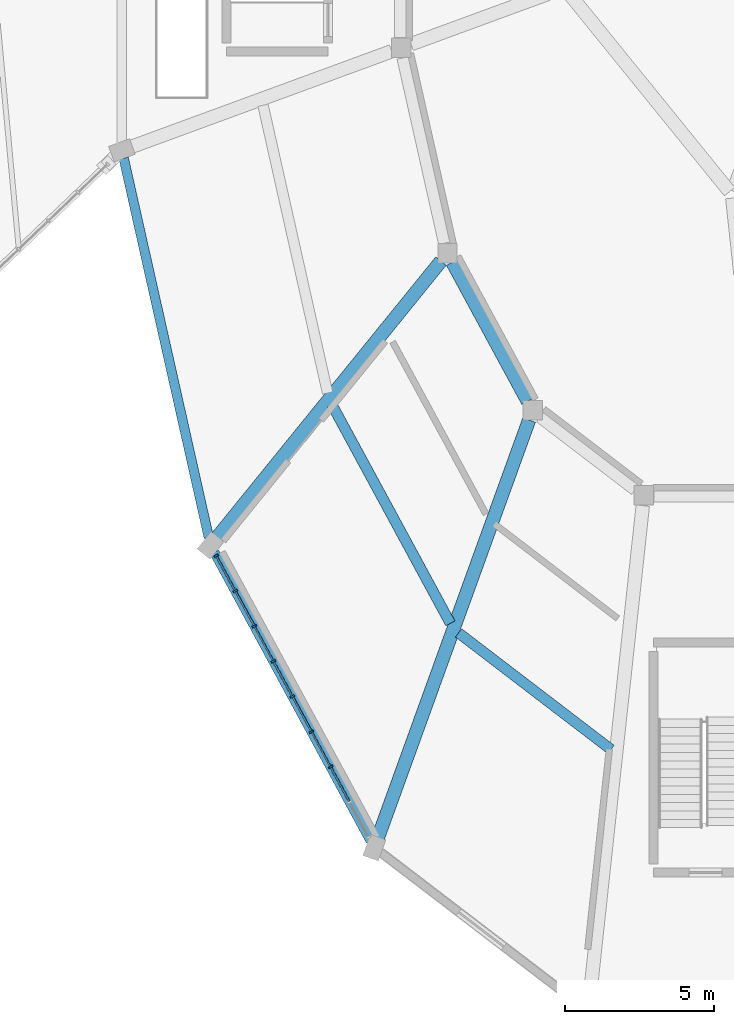
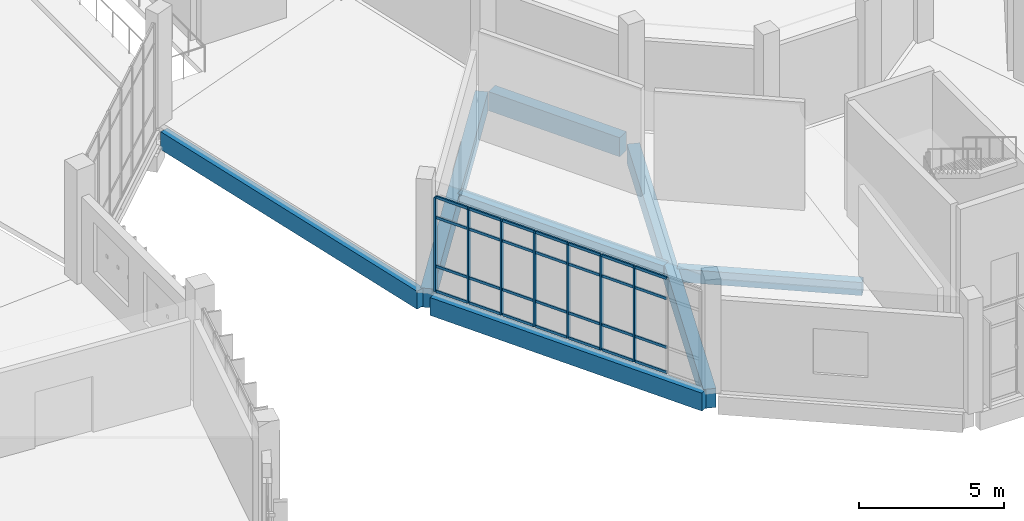
# One storey, part 47 of 179: 35 members, 7 beams, 1 element without a shape of its own.
"""IFC4 building model written with IfcOpenShell, lengths in metres."""

from ifc_helpers import new_model, si_unit, direction, frame, origin, origin_2d, place, context, subcontext, project, spatial, rectangle, extrude, material, layer, layer_set, material_profile, profile_set, type_object, element, aggregate, save


model = new_model("IFC4")

# Units and contexts
model_context = context("Model", 3, precision=1e-05, world=origin(), true_north=direction((0.0, 1.0)))
body_context = subcontext(model_context, "Body", "Model", "MODEL_VIEW")
ifc_project = project(units=[si_unit("LENGTHUNIT", "METRE"), si_unit("AREAUNIT", "SQUARE_METRE"), si_unit("VOLUMEUNIT", "CUBIC_METRE"), si_unit("PLANEANGLEUNIT", "RADIAN"), si_unit("MASSUNIT", "GRAM", prefix="KILO")], contexts=[model_context])

# Site, building, storey
site_placement = place(None, origin())
site = spatial("IfcSite", under=ifc_project, at=site_placement, CompositionType="ELEMENT")
building_placement = place(site_placement, origin())
building = spatial("IfcBuilding", under=site, at=building_placement, Name="Corvandel Quay Wholesale Market", CompositionType="ELEMENT")
storey_placement = place(building_placement, frame((0.0, 0.0, 6.0)))
storey = spatial("IfcBuildingStorey", under=building, at=storey_placement, Name="L01", CompositionType="ELEMENT", Elevation=6.0)

# Beams
ifc_material_1 = material(Name="Precast concrete C45/55", Category="concrete")
ifc_material_profile_1 = material_profile(ifc_material_1, rectangle(XDim=0.449951171875, YDim=0.800048828125, at=origin_2d()), Name="PC-GIR-450x800")
ifc_profile_set_1 = profile_set([ifc_material_profile_1], Name="Precast concrete C45/55")
beam_type_1 = type_object("IfcBeamType", Name="Auction Pavilion Girder G05 450x800", PredefinedType="USERDEFINED", material=ifc_profile_set_1)
beam_1_placement = place(storey_placement, frame((186.068359375, 49.092529296875, -0.639892578125), z_axis=(0.476241586834, -0.879314477858, 0.0), x_axis=(0.879314477858, 0.476241586834, 0.0)))
element("IfcBeam", 1, at=beam_1_placement, inside=storey, type_object=beam_type_1, Name="Beam BM-0863", ObjectType="GIRDER", PredefinedType="USERDEFINED", context=body_context, shape_type="SweptSolid", body=[
    extrude(rectangle(XDim=0.449951171875, YDim=0.800048828125, at=origin_2d()), origin(), (0.0, 0.0, 1.0), 5.298583984375),
])
beam_2_placement = place(storey_placement, frame((178.138916015625, 39.817626953125, -0.639892578125), z_axis=(0.629749475171, 0.776798299768, 0.0), x_axis=(-0.776798299768, 0.629749475171, 0.0)))
element("IfcBeam", 2, at=beam_2_placement, inside=storey, type_object=beam_type_1, Name="Beam BM-0864", ObjectType="GIRDER", PredefinedType="USERDEFINED", context=body_context, shape_type="SweptSolid", body=[
    extrude(rectangle(XDim=0.449951171875, YDim=0.800048828125, at=origin_2d()), origin(), (0.0, 0.0, 1.0), 11.985595703125),
])
beam_3_placement = place(storey_placement, frame((183.5458984375, 29.73486328125, -0.639892578125), z_axis=(0.34033314867, 0.94030492284, 0.0), x_axis=(-0.94030492284, 0.34033314867, 0.0)))
element("IfcBeam", 3, at=beam_3_placement, inside=storey, type_object=beam_type_1, Name="Beam BM-0875", ObjectType="GIRDER", PredefinedType="USERDEFINED", context=body_context, shape_type="SweptSolid", body=[
    extrude(rectangle(XDim=0.449951171875, YDim=0.800048828125, at=origin_2d()), origin(), (0.0, 0.0, 1.0), 14.964111328125),
])

# Curtain wall, members
ifc_material_2 = material(Name="Bronze anodised aluminium and low-E insulated glazing", Category="aluminium")
ifc_layer = layer(ifc_material_2, 0.197998046875)
ifc_layer_set = layer_set([ifc_layer], Name="Bronze anodised aluminium and low-E insulated glazing")
curtain_wall_type = type_object("IfcCurtainWallType", Name="Stick Curtain Wall System CW19 H4710", PredefinedType="NOTDEFINED", material=ifc_layer_set)
curtain_wall_placement = place(storey_placement, origin())
curtain_wall = element("IfcCurtainWall", 4, at=curtain_wall_placement, inside=storey, type_object=curtain_wall_type, Name="Curtain Wall CW-0137", PredefinedType="NOTDEFINED")
ifc_material_3 = material(Name="Anodised aluminium 6063-T6", Category="aluminium")
ifc_material_profile_2 = material_profile(ifc_material_3, rectangle(XDim=0.06494140625, YDim=0.14990234375, at=origin_2d()), Name="ALU-MUL-65x150")
ifc_profile_set_2 = profile_set([ifc_material_profile_2], Name="Anodised aluminium 6063-T6")
member_type_1 = type_object("IfcMemberType", Name="Curtain Wall Mullion ML02 65x150", PredefinedType="MULLION", material=ifc_profile_set_2)
member_1_placement = place(storey_placement, frame((178.159423828125, 39.25634765625, 0.0), z_axis=(0.0, 0.0, 1.0), x_axis=(-0.476238203668, 0.879316310191, 0.0)))
member_1 = element("IfcMember", 5, at=member_1_placement, type_object=member_type_1, Name="Mullion CW-0137-M00", PredefinedType="MULLION", context=body_context, shape_type="SweptSolid", body=[
    extrude(rectangle(XDim=0.06494140625, YDim=0.14990234375, at=origin_2d()), origin(), (0.0, 0.0, 1.0), 3.949951171875),
])
member_2_placement = place(storey_placement, frame((178.797607421875, 38.078369140625, 0.0), z_axis=(0.0, 0.0, 1.0), x_axis=(-0.476238203668, 0.879316310191, 0.0)))
member_2 = element("IfcMember", 6, at=member_2_placement, type_object=member_type_1, Name="Mullion CW-0137-M01", PredefinedType="MULLION", context=body_context, shape_type="SweptSolid", body=[
    extrude(rectangle(XDim=0.06494140625, YDim=0.14990234375, at=origin_2d()), origin(), (0.0, 0.0, 1.0), 3.949951171875),
])
member_3_placement = place(storey_placement, frame((179.435546875, 36.900390625, 0.0), z_axis=(0.0, 0.0, 1.0), x_axis=(-0.476238203668, 0.879316310191, 0.0)))
member_3 = element("IfcMember", 7, at=member_3_placement, type_object=member_type_1, Name="Mullion CW-0137-M02", PredefinedType="MULLION", context=body_context, shape_type="SweptSolid", body=[
    extrude(rectangle(XDim=0.06494140625, YDim=0.14990234375, at=origin_2d()), origin(), (0.0, 0.0, 1.0), 3.949951171875),
])
member_4_placement = place(storey_placement, frame((180.073486328125, 35.722412109375, 0.0), z_axis=(0.0, 0.0, 1.0), x_axis=(-0.476238203668, 0.879316310191, 0.0)))
member_4 = element("IfcMember", 8, at=member_4_placement, type_object=member_type_1, Name="Mullion CW-0137-M03", PredefinedType="MULLION", context=body_context, shape_type="SweptSolid", body=[
    extrude(rectangle(XDim=0.06494140625, YDim=0.14990234375, at=origin_2d()), origin(), (0.0, 0.0, 1.0), 3.949951171875),
])
member_5_placement = place(storey_placement, frame((180.71142578125, 34.54443359375, 0.0), z_axis=(0.0, 0.0, 1.0), x_axis=(-0.476238203668, 0.879316310191, 0.0)))
member_5 = element("IfcMember", 9, at=member_5_placement, type_object=member_type_1, Name="Mullion CW-0137-M04", PredefinedType="MULLION", context=body_context, shape_type="SweptSolid", body=[
    extrude(rectangle(XDim=0.06494140625, YDim=0.14990234375, at=origin_2d()), origin(), (0.0, 0.0, 1.0), 3.949951171875),
])
member_6_placement = place(storey_placement, frame((181.349609375, 33.36669921875, 0.0), z_axis=(0.0, 0.0, 1.0), x_axis=(-0.476238203668, 0.879316310191, 0.0)))
member_6 = element("IfcMember", 10, at=member_6_placement, type_object=member_type_1, Name="Mullion CW-0137-M05", PredefinedType="MULLION", context=body_context, shape_type="SweptSolid", body=[
    extrude(rectangle(XDim=0.06494140625, YDim=0.14990234375, at=origin_2d()), origin(), (0.0, 0.0, 1.0), 3.949951171875),
])
member_7_placement = place(storey_placement, frame((181.987548828125, 32.188720703125, 0.0), z_axis=(0.0, 0.0, 1.0), x_axis=(-0.476238203668, 0.879316310191, 0.0)))
member_7 = element("IfcMember", 11, at=member_7_placement, type_object=member_type_1, Name="Mullion CW-0137-M06", PredefinedType="MULLION", context=body_context, shape_type="SweptSolid", body=[
    extrude(rectangle(XDim=0.06494140625, YDim=0.14990234375, at=origin_2d()), origin(), (0.0, 0.0, 1.0), 3.949951171875),
])
ifc_material_profile_3 = material_profile(ifc_material_3, rectangle(XDim=0.06005859375, YDim=0.110107421875, at=origin_2d()), Name="ALU-TRN-60x110")
ifc_profile_set_3 = profile_set([ifc_material_profile_3], Name="Anodised aluminium 6063-T6")
member_type_2 = type_object("IfcMemberType", Name="Curtain Wall Transom TR02 60x110", PredefinedType="USERDEFINED", material=ifc_profile_set_3)
member_8_placement = place(storey_placement, frame((178.175048828125, 39.227783203125, 0.0), z_axis=(0.476165907025, -0.879355462249, 0.0), x_axis=(0.879355462249, 0.476165907025, 0.0)))
member_8 = element("IfcMember", 12, at=member_8_placement, type_object=member_type_2, Name="Transom CW-0137-T00-0", ObjectType="TRANSOM", PredefinedType="USERDEFINED", context=body_context, shape_type="SweptSolid", body=[
    extrude(rectangle(XDim=0.06005859375, YDim=0.110107421875, at=origin_2d()), origin(), (0.0, 0.0, 1.0), 1.274658203125),
])
member_9_placement = place(storey_placement, frame((178.175048828125, 39.227783203125, 1.050048828125), z_axis=(0.476165907025, -0.879355462249, 0.0), x_axis=(0.879355462249, 0.476165907025, 0.0)))
member_9 = element("IfcMember", 13, at=member_9_placement, type_object=member_type_2, Name="Transom CW-0137-T00-1", ObjectType="TRANSOM", PredefinedType="USERDEFINED", context=body_context, shape_type="SweptSolid", body=[
    extrude(rectangle(XDim=0.06005859375, YDim=0.110107421875, at=origin_2d()), origin(), (0.0, 0.0, 1.0), 1.274658203125),
])
member_10_placement = place(storey_placement, frame((178.175048828125, 39.227783203125, 3.10009765625), z_axis=(0.476165907025, -0.879355462249, 0.0), x_axis=(0.879355462249, 0.476165907025, 0.0)))
member_10 = element("IfcMember", 14, at=member_10_placement, type_object=member_type_2, Name="Transom CW-0137-T00-2", ObjectType="TRANSOM", PredefinedType="USERDEFINED", context=body_context, shape_type="SweptSolid", body=[
    extrude(rectangle(XDim=0.06005859375, YDim=0.110107421875, at=origin_2d()), origin(), (0.0, 0.0, 1.0), 1.274658203125),
])
member_11_placement = place(storey_placement, frame((178.175048828125, 39.227783203125, 3.949951171875), z_axis=(0.476165907025, -0.879355462249, 0.0), x_axis=(0.879355462249, 0.476165907025, 0.0)))
member_11 = element("IfcMember", 15, at=member_11_placement, type_object=member_type_2, Name="Transom CW-0137-T00-3", ObjectType="TRANSOM", PredefinedType="USERDEFINED", context=body_context, shape_type="SweptSolid", body=[
    extrude(rectangle(XDim=0.06005859375, YDim=0.110107421875, at=origin_2d()), origin(), (0.0, 0.0, 1.0), 1.274658203125),
])
member_12_placement = place(storey_placement, frame((178.81298828125, 38.0498046875, 0.0), z_axis=(0.476165907025, -0.879355462249, 0.0), x_axis=(0.879355462249, 0.476165907025, 0.0)))
member_12 = element("IfcMember", 16, at=member_12_placement, type_object=member_type_2, Name="Transom CW-0137-T01-0", ObjectType="TRANSOM", PredefinedType="USERDEFINED", context=body_context, shape_type="SweptSolid", body=[
    extrude(rectangle(XDim=0.06005859375, YDim=0.110107421875, at=origin_2d()), origin(), (0.0, 0.0, 1.0), 1.274658203125),
])
member_13_placement = place(storey_placement, frame((178.81298828125, 38.0498046875, 1.050048828125), z_axis=(0.476165907025, -0.879355462249, 0.0), x_axis=(0.879355462249, 0.476165907025, 0.0)))
member_13 = element("IfcMember", 17, at=member_13_placement, type_object=member_type_2, Name="Transom CW-0137-T01-1", ObjectType="TRANSOM", PredefinedType="USERDEFINED", context=body_context, shape_type="SweptSolid", body=[
    extrude(rectangle(XDim=0.06005859375, YDim=0.110107421875, at=origin_2d()), origin(), (0.0, 0.0, 1.0), 1.274658203125),
])
member_14_placement = place(storey_placement, frame((178.81298828125, 38.0498046875, 3.10009765625), z_axis=(0.476165907025, -0.879355462249, 0.0), x_axis=(0.879355462249, 0.476165907025, 0.0)))
member_14 = element("IfcMember", 18, at=member_14_placement, type_object=member_type_2, Name="Transom CW-0137-T01-2", ObjectType="TRANSOM", PredefinedType="USERDEFINED", context=body_context, shape_type="SweptSolid", body=[
    extrude(rectangle(XDim=0.06005859375, YDim=0.110107421875, at=origin_2d()), origin(), (0.0, 0.0, 1.0), 1.274658203125),
])
member_15_placement = place(storey_placement, frame((178.81298828125, 38.0498046875, 3.949951171875), z_axis=(0.476165907025, -0.879355462249, 0.0), x_axis=(0.879355462249, 0.476165907025, 0.0)))
member_15 = element("IfcMember", 19, at=member_15_placement, type_object=member_type_2, Name="Transom CW-0137-T01-3", ObjectType="TRANSOM", PredefinedType="USERDEFINED", context=body_context, shape_type="SweptSolid", body=[
    extrude(rectangle(XDim=0.06005859375, YDim=0.110107421875, at=origin_2d()), origin(), (0.0, 0.0, 1.0), 1.274658203125),
])
member_16_placement = place(storey_placement, frame((179.450927734375, 36.871826171875, 0.0), z_axis=(0.47631399735, -0.879275256065, 0.0), x_axis=(0.879275256065, 0.47631399735, 0.0)))
member_16 = element("IfcMember", 20, at=member_16_placement, type_object=member_type_2, Name="Transom CW-0137-T02-0", ObjectType="TRANSOM", PredefinedType="USERDEFINED", context=body_context, shape_type="SweptSolid", body=[
    extrude(rectangle(XDim=0.06005859375, YDim=0.110107421875, at=origin_2d()), origin(), (0.0, 0.0, 1.0), 1.274658203125),
])
member_17_placement = place(storey_placement, frame((179.450927734375, 36.871826171875, 1.050048828125), z_axis=(0.47631399735, -0.879275256065, 0.0), x_axis=(0.879275256065, 0.47631399735, 0.0)))
member_17 = element("IfcMember", 21, at=member_17_placement, type_object=member_type_2, Name="Transom CW-0137-T02-1", ObjectType="TRANSOM", PredefinedType="USERDEFINED", context=body_context, shape_type="SweptSolid", body=[
    extrude(rectangle(XDim=0.06005859375, YDim=0.110107421875, at=origin_2d()), origin(), (0.0, 0.0, 1.0), 1.274658203125),
])
member_18_placement = place(storey_placement, frame((179.450927734375, 36.871826171875, 3.10009765625), z_axis=(0.47631399735, -0.879275256065, 0.0), x_axis=(0.879275256065, 0.47631399735, 0.0)))
member_18 = element("IfcMember", 22, at=member_18_placement, type_object=member_type_2, Name="Transom CW-0137-T02-2", ObjectType="TRANSOM", PredefinedType="USERDEFINED", context=body_context, shape_type="SweptSolid", body=[
    extrude(rectangle(XDim=0.06005859375, YDim=0.110107421875, at=origin_2d()), origin(), (0.0, 0.0, 1.0), 1.274658203125),
])
member_19_placement = place(storey_placement, frame((179.450927734375, 36.871826171875, 3.949951171875), z_axis=(0.47631399735, -0.879275256065, 0.0), x_axis=(0.879275256065, 0.47631399735, 0.0)))
member_19 = element("IfcMember", 23, at=member_19_placement, type_object=member_type_2, Name="Transom CW-0137-T02-3", ObjectType="TRANSOM", PredefinedType="USERDEFINED", context=body_context, shape_type="SweptSolid", body=[
    extrude(rectangle(XDim=0.06005859375, YDim=0.110107421875, at=origin_2d()), origin(), (0.0, 0.0, 1.0), 1.274658203125),
])
member_20_placement = place(storey_placement, frame((180.089111328125, 35.69384765625, 0.0), z_axis=(0.476165907025, -0.879355462249, 0.0), x_axis=(0.879355462249, 0.476165907025, 0.0)))
member_20 = element("IfcMember", 24, at=member_20_placement, type_object=member_type_2, Name="Transom CW-0137-T03-0", ObjectType="TRANSOM", PredefinedType="USERDEFINED", context=body_context, shape_type="SweptSolid", body=[
    extrude(rectangle(XDim=0.06005859375, YDim=0.110107421875, at=origin_2d()), origin(), (0.0, 0.0, 1.0), 1.274658203125),
])
member_21_placement = place(storey_placement, frame((180.089111328125, 35.69384765625, 1.050048828125), z_axis=(0.476165907025, -0.879355462249, 0.0), x_axis=(0.879355462249, 0.476165907025, 0.0)))
member_21 = element("IfcMember", 25, at=member_21_placement, type_object=member_type_2, Name="Transom CW-0137-T03-1", ObjectType="TRANSOM", PredefinedType="USERDEFINED", context=body_context, shape_type="SweptSolid", body=[
    extrude(rectangle(XDim=0.06005859375, YDim=0.110107421875, at=origin_2d()), origin(), (0.0, 0.0, 1.0), 1.274658203125),
])
member_22_placement = place(storey_placement, frame((180.089111328125, 35.69384765625, 3.10009765625), z_axis=(0.476165907025, -0.879355462249, 0.0), x_axis=(0.879355462249, 0.476165907025, 0.0)))
member_22 = element("IfcMember", 26, at=member_22_placement, type_object=member_type_2, Name="Transom CW-0137-T03-2", ObjectType="TRANSOM", PredefinedType="USERDEFINED", context=body_context, shape_type="SweptSolid", body=[
    extrude(rectangle(XDim=0.06005859375, YDim=0.110107421875, at=origin_2d()), origin(), (0.0, 0.0, 1.0), 1.274658203125),
])
member_23_placement = place(storey_placement, frame((180.089111328125, 35.69384765625, 3.949951171875), z_axis=(0.476165907025, -0.879355462249, 0.0), x_axis=(0.879355462249, 0.476165907025, 0.0)))
member_23 = element("IfcMember", 27, at=member_23_placement, type_object=member_type_2, Name="Transom CW-0137-T03-3", ObjectType="TRANSOM", PredefinedType="USERDEFINED", context=body_context, shape_type="SweptSolid", body=[
    extrude(rectangle(XDim=0.06005859375, YDim=0.110107421875, at=origin_2d()), origin(), (0.0, 0.0, 1.0), 1.274658203125),
])
member_24_placement = place(storey_placement, frame((180.72705078125, 34.515869140625, 0.0), z_axis=(0.476165907025, -0.879355462249, 0.0), x_axis=(0.879355462249, 0.476165907025, 0.0)))
member_24 = element("IfcMember", 28, at=member_24_placement, type_object=member_type_2, Name="Transom CW-0137-T04-0", ObjectType="TRANSOM", PredefinedType="USERDEFINED", context=body_context, shape_type="SweptSolid", body=[
    extrude(rectangle(XDim=0.06005859375, YDim=0.110107421875, at=origin_2d()), origin(), (0.0, 0.0, 1.0), 1.274658203125),
])
member_25_placement = place(storey_placement, frame((180.72705078125, 34.515869140625, 1.050048828125), z_axis=(0.476165907025, -0.879355462249, 0.0), x_axis=(0.879355462249, 0.476165907025, 0.0)))
member_25 = element("IfcMember", 29, at=member_25_placement, type_object=member_type_2, Name="Transom CW-0137-T04-1", ObjectType="TRANSOM", PredefinedType="USERDEFINED", context=body_context, shape_type="SweptSolid", body=[
    extrude(rectangle(XDim=0.06005859375, YDim=0.110107421875, at=origin_2d()), origin(), (0.0, 0.0, 1.0), 1.274658203125),
])
member_26_placement = place(storey_placement, frame((180.72705078125, 34.515869140625, 3.10009765625), z_axis=(0.476165907025, -0.879355462249, 0.0), x_axis=(0.879355462249, 0.476165907025, 0.0)))
member_26 = element("IfcMember", 30, at=member_26_placement, type_object=member_type_2, Name="Transom CW-0137-T04-2", ObjectType="TRANSOM", PredefinedType="USERDEFINED", context=body_context, shape_type="SweptSolid", body=[
    extrude(rectangle(XDim=0.06005859375, YDim=0.110107421875, at=origin_2d()), origin(), (0.0, 0.0, 1.0), 1.274658203125),
])
member_27_placement = place(storey_placement, frame((180.72705078125, 34.515869140625, 3.949951171875), z_axis=(0.476165907025, -0.879355462249, 0.0), x_axis=(0.879355462249, 0.476165907025, 0.0)))
member_27 = element("IfcMember", 31, at=member_27_placement, type_object=member_type_2, Name="Transom CW-0137-T04-3", ObjectType="TRANSOM", PredefinedType="USERDEFINED", context=body_context, shape_type="SweptSolid", body=[
    extrude(rectangle(XDim=0.06005859375, YDim=0.110107421875, at=origin_2d()), origin(), (0.0, 0.0, 1.0), 1.274658203125),
])
member_28_placement = place(storey_placement, frame((181.364990234375, 33.337890625, 0.0), z_axis=(0.476246119582, -0.879312022881, 0.0), x_axis=(0.879312022881, 0.476246119582, 0.0)))
member_28 = element("IfcMember", 32, at=member_28_placement, type_object=member_type_2, Name="Transom CW-0137-T05-0", ObjectType="TRANSOM", PredefinedType="USERDEFINED", context=body_context, shape_type="SweptSolid", body=[
    extrude(rectangle(XDim=0.06005859375, YDim=0.110107421875, at=origin_2d()), origin(), (0.0, 0.0, 1.0), 1.2744140625),
])
member_29_placement = place(storey_placement, frame((181.364990234375, 33.337890625, 1.050048828125), z_axis=(0.476246119582, -0.879312022881, 0.0), x_axis=(0.879312022881, 0.476246119582, 0.0)))
member_29 = element("IfcMember", 33, at=member_29_placement, type_object=member_type_2, Name="Transom CW-0137-T05-1", ObjectType="TRANSOM", PredefinedType="USERDEFINED", context=body_context, shape_type="SweptSolid", body=[
    extrude(rectangle(XDim=0.06005859375, YDim=0.110107421875, at=origin_2d()), origin(), (0.0, 0.0, 1.0), 1.2744140625),
])
member_30_placement = place(storey_placement, frame((181.364990234375, 33.337890625, 3.10009765625), z_axis=(0.476246119582, -0.879312022881, 0.0), x_axis=(0.879312022881, 0.476246119582, 0.0)))
member_30 = element("IfcMember", 34, at=member_30_placement, type_object=member_type_2, Name="Transom CW-0137-T05-2", ObjectType="TRANSOM", PredefinedType="USERDEFINED", context=body_context, shape_type="SweptSolid", body=[
    extrude(rectangle(XDim=0.06005859375, YDim=0.110107421875, at=origin_2d()), origin(), (0.0, 0.0, 1.0), 1.2744140625),
])
member_31_placement = place(storey_placement, frame((181.364990234375, 33.337890625, 3.949951171875), z_axis=(0.476246119582, -0.879312022881, 0.0), x_axis=(0.879312022881, 0.476246119582, 0.0)))
member_31 = element("IfcMember", 35, at=member_31_placement, type_object=member_type_2, Name="Transom CW-0137-T05-3", ObjectType="TRANSOM", PredefinedType="USERDEFINED", context=body_context, shape_type="SweptSolid", body=[
    extrude(rectangle(XDim=0.06005859375, YDim=0.110107421875, at=origin_2d()), origin(), (0.0, 0.0, 1.0), 1.2744140625),
])
member_32_placement = place(storey_placement, frame((182.0029296875, 32.159912109375, 0.0), z_axis=(0.476394220214, -0.87923179364, 0.0), x_axis=(0.87923179364, 0.476394220214, 0.0)))
member_32 = element("IfcMember", 36, at=member_32_placement, type_object=member_type_2, Name="Transom CW-0137-T06-0", ObjectType="TRANSOM", PredefinedType="USERDEFINED", context=body_context, shape_type="SweptSolid", body=[
    extrude(rectangle(XDim=0.06005859375, YDim=0.110107421875, at=origin_2d()), origin(), (0.0, 0.0, 1.0), 1.2744140625),
])
member_33_placement = place(storey_placement, frame((182.0029296875, 32.159912109375, 1.050048828125), z_axis=(0.476394220214, -0.87923179364, 0.0), x_axis=(0.87923179364, 0.476394220214, 0.0)))
member_33 = element("IfcMember", 37, at=member_33_placement, type_object=member_type_2, Name="Transom CW-0137-T06-1", ObjectType="TRANSOM", PredefinedType="USERDEFINED", context=body_context, shape_type="SweptSolid", body=[
    extrude(rectangle(XDim=0.06005859375, YDim=0.110107421875, at=origin_2d()), origin(), (0.0, 0.0, 1.0), 1.2744140625),
])
member_34_placement = place(storey_placement, frame((182.0029296875, 32.159912109375, 3.10009765625), z_axis=(0.476394220214, -0.87923179364, 0.0), x_axis=(0.87923179364, 0.476394220214, 0.0)))
member_34 = element("IfcMember", 38, at=member_34_placement, type_object=member_type_2, Name="Transom CW-0137-T06-2", ObjectType="TRANSOM", PredefinedType="USERDEFINED", context=body_context, shape_type="SweptSolid", body=[
    extrude(rectangle(XDim=0.06005859375, YDim=0.110107421875, at=origin_2d()), origin(), (0.0, 0.0, 1.0), 1.2744140625),
])
member_35_placement = place(storey_placement, frame((182.0029296875, 32.159912109375, 3.949951171875), z_axis=(0.476394220214, -0.87923179364, 0.0), x_axis=(0.87923179364, 0.476394220214, 0.0)))
member_35 = element("IfcMember", 39, at=member_35_placement, type_object=member_type_2, Name="Transom CW-0137-T06-3", ObjectType="TRANSOM", PredefinedType="USERDEFINED", context=body_context, shape_type="SweptSolid", body=[
    extrude(rectangle(XDim=0.06005859375, YDim=0.110107421875, at=origin_2d()), origin(), (0.0, 0.0, 1.0), 1.2744140625),
])
aggregate(curtain_wall, [member_1, member_2, member_3, member_4, member_5, member_6, member_7, member_8, member_9, member_10, member_11, member_12, member_13, member_14, member_15, member_16, member_17, member_18, member_19, member_20, member_21, member_22, member_23, member_24, member_25, member_26, member_27, member_28, member_29, member_30, member_31, member_32, member_33, member_34, member_35])

# Beams
ifc_material_profile_4 = material_profile(ifc_material_1, rectangle(XDim=0.320068359375, YDim=0.75, at=origin_2d()), Name="PC-SPN-320x750")
ifc_profile_set_4 = profile_set([ifc_material_profile_4], Name="Precast concrete C45/55")
beam_type_2 = type_object("IfcBeamType", Name="Pavilion Precast Spandrel SP02 320x750", PredefinedType="SPANDREL", material=ifc_profile_set_4)
beam_4_placement = place(storey_placement, frame((175.05908203125, 52.57568359375, -0.614990234375), z_axis=(0.218953092988, -0.975735385784, 0.0), x_axis=(0.975735385784, 0.218953092988, 0.0)))
element("IfcBeam", 40, at=beam_4_placement, inside=storey, type_object=beam_type_2, Name="Beam BM-0851", PredefinedType="SPANDREL", context=body_context, shape_type="SweptSolid", body=[
    extrude(rectangle(XDim=0.320068359375, YDim=0.75, at=origin_2d()), origin(), (0.0, 0.0, 1.0), 13.020263671875),
])
beam_5_placement = place(storey_placement, frame((178.09765625, 39.37060546875, -0.614990234375), z_axis=(0.476252338863, -0.879308654414, 0.0), x_axis=(0.879308654414, 0.476252338863, 0.0)))
element("IfcBeam", 41, at=beam_5_placement, inside=storey, type_object=beam_type_2, Name="Beam BM-0862", PredefinedType="SPANDREL", context=body_context, shape_type="SweptSolid", body=[
    extrude(rectangle(XDim=0.320068359375, YDim=0.75, at=origin_2d()), origin(), (0.0, 0.0, 1.0), 10.976806640625),
])
ifc_material_profile_5 = material_profile(ifc_material_1, rectangle(XDim=0.35009765625, YDim=0.550048828125, at=origin_2d()), Name="PC-BM-350x550")
ifc_profile_set_5 = profile_set([ifc_material_profile_5], Name="Precast concrete C45/55")
beam_type_3 = type_object("IfcBeamType", Name="Standard Floor Secondary Beam B03 350x550", PredefinedType="BEAM", material=ifc_profile_set_5)
beam_6_placement = place(storey_placement, frame((182.038818359375, 44.31298828125, -0.514892578125), z_axis=(0.476260468975, -0.879304250923, 0.0), x_axis=(0.879304250923, 0.476260468975, 0.0)))
element("IfcBeam", 42, at=beam_6_placement, inside=storey, type_object=beam_type_3, Name="Beam BM-0865", PredefinedType="BEAM", context=body_context, shape_type="SweptSolid", body=[
    extrude(rectangle(XDim=0.35009765625, YDim=0.550048828125, at=origin_2d()), origin(), (0.0, 0.0, 1.0), 8.322998046875),
])
beam_7_placement = place(storey_placement, frame((186.27587890625, 36.6748046875, -0.514892578125), z_axis=(0.794335189832, -0.607479716694, 0.0), x_axis=(0.607479716694, 0.794335189832, 0.0)))
element("IfcBeam", 43, at=beam_7_placement, inside=storey, type_object=beam_type_3, Name="Beam BM-0876", PredefinedType="BEAM", context=body_context, shape_type="SweptSolid", body=[
    extrude(rectangle(XDim=0.35009765625, YDim=0.550048828125, at=origin_2d()), origin(), (0.0, 0.0, 1.0), 6.427001953125),
])

save(model, "model.ifc")
